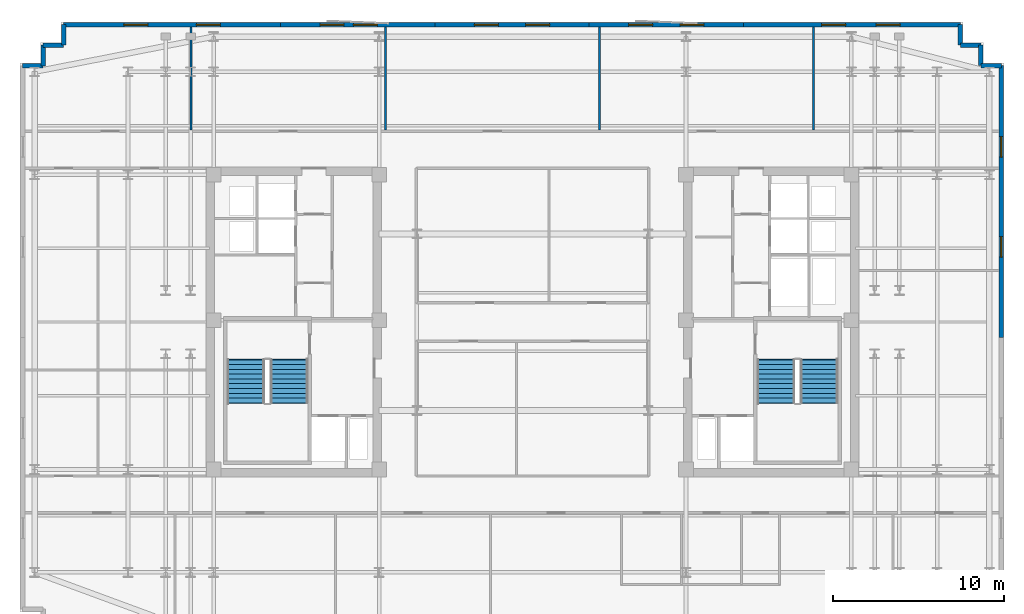
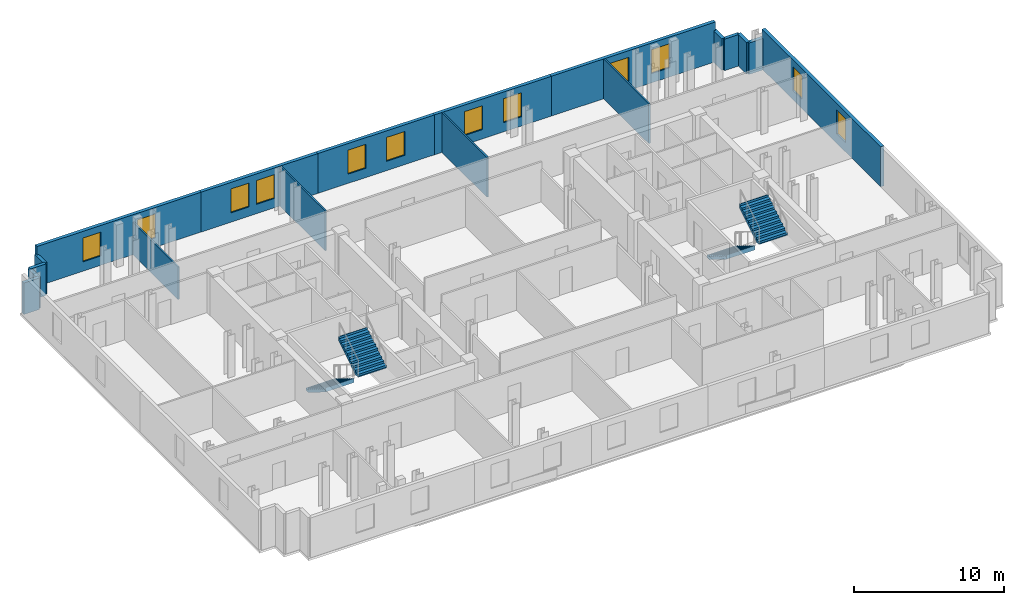
# One storey, part 7 of 9: 18 walls, 12 windows, 4 stair flights, 12 openings, 2 elements without a shape of their own.
"""IFC4 building model written with IfcOpenShell, lengths in metres."""

import ifcopenshell
import ifcopenshell.guid

model = None  # the IFC model being written
_history = None  # IfcOwnerHistory: only IFC2X3 demands one
_inside = {}  # id of a spatial element -> (the spatial element, [elements in it])
_under = {}  # id of a project, library or spatial element -> (it, [spatial elements below it])
_declared = {}  # id of a project -> (the project, [libraries it declares])
_typed = {}  # id of a type object -> (the type object, [elements of that type])
_made_of = {}  # id of a material, layer set ... -> (it, [elements and type objects made of it])


def new_model(schema):
    """Start an empty IFC model of exactly this schema.

    Asked for "IFC4X3", IfcOpenShell would pick the latest addendum, in which some entities
    have other attributes; the version numbers below select the first issue.
    IFC2X3 requires an IfcOwnerHistory on every rooted entity: one is made here for all.
    """
    global model, _history
    if schema == "IFC4X3":
        model = ifcopenshell.file(schema_version=(4, 3, 0, 0))
    else:
        model = ifcopenshell.file(schema=schema)
    _inside.clear()
    _under.clear()
    _declared.clear()
    _typed.clear()
    _made_of.clear()
    _history = None
    if model.schema == "IFC2X3":
        org = make("IfcOrganization", Name="unknown")
        user = make(
            "IfcPersonAndOrganization",
            ThePerson=make("IfcPerson", FamilyName="unknown"),
            TheOrganization=org,
        )
        app = make(
            "IfcApplication",
            ApplicationDeveloper=org,
            Version="unknown",
            ApplicationFullName="unknown",
            ApplicationIdentifier="unknown",
        )
        _history = make(
            "IfcOwnerHistory",
            OwningUser=user,
            OwningApplication=app,
            ChangeAction="ADDED",
            CreationDate=0,
        )
    return model


def make(cls, **values):
    """One entity of the class cls with the attributes given. An attribute that is None is left unset."""
    return model.create_entity(
        cls, **{name: value for name, value in values.items() if value is not None}
    )


def rooted(cls, **values):
    """An entity with a GlobalId (a new one), such as an element, a storey or a relation."""
    return make(cls, GlobalId=ifcopenshell.guid.new(), OwnerHistory=_history, **values)


def si_unit(unit_type, name, prefix=None):
    """IfcSIUnit, for example si_unit("LENGTHUNIT", "METRE", prefix="MILLI")."""
    return make("IfcSIUnit", UnitType=unit_type, Prefix=prefix, Name=name)


def assignment(units):
    """IfcUnitAssignment: the units of a project."""
    return None if units is None else make("IfcUnitAssignment", Units=units)


def point(xyz):
    """IfcCartesianPoint."""
    return None if xyz is None else make("IfcCartesianPoint", Coordinates=xyz)


def direction(xyz):
    """IfcDirection."""
    return None if xyz is None else make("IfcDirection", DirectionRatios=xyz)


def frame(location, z_axis=None, x_axis=None):
    """IfcAxis2Placement3D, a coordinate frame: its origin and axes. An axis left out is left unset."""
    return make(
        "IfcAxis2Placement3D",
        Location=point(location),
        Axis=direction(z_axis),
        RefDirection=direction(x_axis),
    )


def frame_2d(location, x_axis=None):
    """IfcAxis2Placement2D, a coordinate frame in the plane: its origin and x axis."""
    return make(
        "IfcAxis2Placement2D", Location=point(location), RefDirection=direction(x_axis)
    )


def origin():
    """The frame at (0, 0, 0) with its axes left unset."""
    return frame((0.0, 0.0, 0.0))


def place(relative_to, where):
    """IfcLocalPlacement: puts the frame where relative to a parent placement (None: the world)."""
    return make(
        "IfcLocalPlacement", PlacementRelTo=relative_to, RelativePlacement=where
    )


def context(
    kind, dimensions, precision=None, world=None, true_north=None, identifier=None
):
    """IfcGeometricRepresentationContext, for example the 3D "Model" context."""
    return make(
        "IfcGeometricRepresentationContext",
        ContextIdentifier=identifier,
        ContextType=kind,
        CoordinateSpaceDimension=dimensions,
        Precision=precision,
        WorldCoordinateSystem=world,
        TrueNorth=true_north,
    )


def subcontext(parent, identifier, kind, view, scale=None):
    """IfcGeometricRepresentationSubContext, for example "Body" below "Model"."""
    return make(
        "IfcGeometricRepresentationSubContext",
        ContextIdentifier=identifier,
        ContextType=kind,
        ParentContext=parent,
        TargetScale=scale,
        TargetView=view,
    )


def project(units=None, contexts=None):
    """IfcProject with its units and contexts."""
    return rooted(
        "IfcProject",
        Name="project",
        RepresentationContexts=contexts,
        UnitsInContext=assignment(units),
    )


def spatial(cls, under=None, at=None, **own):
    """A site, building, storey or space (cls), placed at a placement, below another one or the project."""
    s = rooted(cls, ObjectPlacement=at, **own)
    if under is not None:
        _under.setdefault(under.id(), (under, []))[1].append(s)
    return s


def polyline(points):
    """IfcPolyline through the points."""
    return make("IfcPolyline", Points=[point(p) for p in points])


def profile(cls, at=None, kind="AREA", **sizes):
    """A parametric profile (cls). Its sizes go by their IFC names, for example OverallWidth=200.0."""
    return make(cls, ProfileType=kind, Position=at, **sizes)


def rectangle(**sizes):
    """IfcRectangleProfileDef."""
    return profile("IfcRectangleProfileDef", **sizes)


def outline(outer, holes=None, kind="AREA"):
    """IfcArbitraryClosedProfileDef: a profile drawn as a closed curve; with holes, ...WithVoids."""
    if holes is None:
        return make("IfcArbitraryClosedProfileDef", ProfileType=kind, OuterCurve=outer)
    return make(
        "IfcArbitraryProfileDefWithVoids",
        ProfileType=kind,
        OuterCurve=outer,
        InnerCurves=holes,
    )


def extrude(swept, where, along, depth):
    """IfcExtrudedAreaSolid: the profile swept, set in the frame where, extruded along a direction by depth."""
    return make(
        "IfcExtrudedAreaSolid",
        SweptArea=swept,
        Position=where,
        ExtrudedDirection=direction(along),
        Depth=depth,
    )


def shape(context_of_items, identifier, shape_type, items):
    """IfcShapeRepresentation: the items that make up one representation, for example the "Body"."""
    return make(
        "IfcShapeRepresentation",
        ContextOfItems=context_of_items,
        RepresentationIdentifier=identifier,
        RepresentationType=shape_type,
        Items=items,
    )


def material(Name=None, Category=None):
    """IfcMaterial."""
    return make("IfcMaterial", Name=Name, Category=Category)


def layer(
    of_material, thickness, ventilated=None, Name=None, Category=None, Priority=None
):
    """IfcMaterialLayer: one layer of a wall or slab, of a material (None: an air gap)."""
    return make(
        "IfcMaterialLayer",
        Material=of_material,
        LayerThickness=thickness,
        IsVentilated=ventilated,
        Name=Name,
        Category=Category,
        Priority=Priority,
    )


def layer_set(layers, Name=None):
    """IfcMaterialLayerSet."""
    return make("IfcMaterialLayerSet", MaterialLayers=layers, LayerSetName=Name)


def made_of(thing, what):
    """Note that an element or type object is made of a material, layer set ...; save() writes the relation."""
    if what is not None:
        _made_of.setdefault(what.id(), (what, []))[1].append(thing)
    return thing


def type_object(cls, material=None, **own):
    """A type object (cls), such as IfcWallType, which elements share."""
    return made_of(rooted(cls, **own), material)


def element(
    cls,
    number,
    at=None,
    inside=None,
    cuts=None,
    type_object=None,
    material=None,
    context=None,
    identifier="Body",
    shape_type=None,
    held_by="IfcProductDefinitionShape",
    body=None,
    shapes=None,
    **own,
):
    """One element of the class cls, such as IfcWall. Its Tag is "e" and its number.

    at: its placement. inside: the storey or other place that contains it. cuts: it is an
    opening in that element (IfcRelVoidsElement). A single representation is given by context,
    identifier, shape_type and body (its items); several are given by shapes. held_by: the class
    of the entity that holds the representations. save() writes the other relations.
    """
    e = rooted(cls, Tag="e%d" % number, ObjectPlacement=at, **own)
    if body is not None:
        shapes = [shape(context, identifier, shape_type, body)]
    if shapes is not None:
        e.Representation = make(held_by, Representations=shapes)
    if inside is not None:
        _inside.setdefault(inside.id(), (inside, []))[1].append(e)
    if cuts is not None:
        rooted(
            "IfcRelVoidsElement", RelatingBuildingElement=cuts, RelatedOpeningElement=e
        )
    if type_object is not None:
        _typed.setdefault(type_object.id(), (type_object, []))[1].append(e)
    return made_of(e, material)


def fill(opening, filler):
    """IfcRelFillsElement: the door or window that sits in an opening."""
    return rooted(
        "IfcRelFillsElement",
        RelatingOpeningElement=opening,
        RelatedBuildingElement=filler,
    )


def aggregate(whole, parts):
    """IfcRelAggregates: a whole, such as a stair, and the parts it consists of."""
    return rooted("IfcRelAggregates", RelatingObject=whole, RelatedObjects=parts)


def save(model, path):
    """Write the relations noted so far, then the file.

    IfcRelAggregates (storeys below a building ...), IfcRelContainedInSpatialStructure (elements
    in a storey), IfcRelDefinesByType, IfcRelAssociatesMaterial and IfcRelDeclares: one each for
    every whole, place, type object, material and project.
    """
    for whole, parts in _under.values():
        aggregate(whole, parts)
    for where, things in _inside.values():
        rooted(
            "IfcRelContainedInSpatialStructure",
            RelatedElements=things,
            RelatingStructure=where,
        )
    for kind, things in _typed.values():
        rooted("IfcRelDefinesByType", RelatedObjects=things, RelatingType=kind)
    for what, things in _made_of.values():
        rooted("IfcRelAssociatesMaterial", RelatedObjects=things, RelatingMaterial=what)
    for by, libraries in _declared.values():
        rooted("IfcRelDeclares", RelatingContext=by, RelatedDefinitions=libraries)
    model.write(path)


model = new_model("IFC4")

# Units and contexts
model_context = context("Model", 3, precision=1e-05, world=origin(), true_north=direction((0.0, 1.0)))
body_context = subcontext(model_context, "Body", "Model", "MODEL_VIEW")
ifc_project = project(units=[si_unit("LENGTHUNIT", "METRE"), si_unit("AREAUNIT", "SQUARE_METRE"), si_unit("VOLUMEUNIT", "CUBIC_METRE"), si_unit("PLANEANGLEUNIT", "RADIAN"), si_unit("MASSUNIT", "GRAM", prefix="KILO")], contexts=[model_context])

# Site, building, storey
site_placement = place(None, origin())
site = spatial("IfcSite", under=ifc_project, at=site_placement, CompositionType="ELEMENT")
building_placement = place(site_placement, origin())
building = spatial("IfcBuilding", under=site, at=building_placement, Name="Velakula Bourse", CompositionType="ELEMENT")
storey_placement = place(building_placement, frame((0.0, 0.0, 218.85009765625)))
storey = spatial("IfcBuildingStorey", under=building, at=storey_placement, Name="L59", CompositionType="ELEMENT", Elevation=218.85009765625)

# Wall, openings, windows
ifc_material_1 = material(Name="Buff kilned clay facing brick masonry", Category="masonry")
ifc_layer_1 = layer(ifc_material_1, 0.260009765625, Name="Buff kilned clay facing brick masonry", Category="masonry")
ifc_layer_set_1 = layer_set([ifc_layer_1], Name="Buff kilned clay facing brick masonry")
wall_type_1 = type_object("IfcWallType", Name="WL-EXT-BRK-260", PredefinedType="STANDARD", material=ifc_layer_set_1)
wall_1_placement = place(storey_placement, frame((-27.35009765625, 17.35009765625, 0.0), z_axis=(0.0, 0.0, 1.0), x_axis=(1.0, 0.0, 0.0)))
wall_1 = element("IfcWall", 1, at=wall_1_placement, inside=storey, type_object=wall_type_1, Name="L59 N Brick Spandrel Wall B1", PredefinedType="STANDARD", context=body_context, shape_type="SweptSolid", body=[
    extrude(rectangle(XDim=12.650146484375, YDim=0.260009765625, at=frame_2d((6.3251953125, 0.0))), origin(), (0.0, 0.0, 1.0), 3.25),
])
opening_1_placement = place(wall_1_placement, frame((3.5166015625, 0.0, 0.760009765625)))
opening_1 = element("IfcOpeningElement", 2, at=opening_1_placement, cuts=wall_1, Name="Opening W-03", PredefinedType="OPENING", context=body_context, shape_type="SweptSolid", body=[
    extrude(rectangle(XDim=1.39990234375, YDim=1.949951171875, at=frame_2d((0.699951171875, 0.97509765625))), frame((0.0, 0.139892578125, 0.0), z_axis=(0.0, -1.0, 0.0), x_axis=(1.0, 0.0, 0.0)), (0.0, 0.0, 1.0), 0.280029296875),
])
opening_2_placement = place(wall_1_placement, frame((7.7333984375, 0.0, 0.760009765625)))
opening_2 = element("IfcOpeningElement", 3, at=opening_2_placement, cuts=wall_1, Name="Opening W-03", PredefinedType="OPENING", context=body_context, shape_type="SweptSolid", body=[
    extrude(rectangle(XDim=1.39990234375, YDim=1.949951171875, at=frame_2d((0.699951171875, 0.97509765625))), frame((0.0, 0.139892578125, 0.0), z_axis=(0.0, -1.0, 0.0), x_axis=(1.0, 0.0, 0.0)), (0.0, 0.0, 1.0), 0.280029296875),
])
ifc_material_2 = material(Name="Double-glazed solar-control Low-E glass", Category="glass")
window_type_1 = type_object("IfcWindowType", Name="WIN-TWR-1400x2100", PartitioningType="SINGLE_PANEL", PredefinedType="WINDOW", material=ifc_material_2)
window_1_placement = place(opening_1_placement, origin())
window_1 = element("IfcWindow", 4, at=window_1_placement, inside=storey, type_object=window_type_1, Name="L59 Deep-Set Recessed Window 1", OverallHeight=1.949951171875, OverallWidth=1.39990234375, PartitioningType="SINGLE_PANEL", PredefinedType="WINDOW", context=body_context, shape_type="SweptSolid", body=[
    extrude(rectangle(XDim=1.39990234375, YDim=1.949951171875, at=frame_2d((0.699951171875, 0.97509765625))), frame((0.0, 0.030029296875, 0.0), z_axis=(0.0, -1.0, 0.0), x_axis=(1.0, 0.0, 0.0)), (0.0, 0.0, 1.0), 0.06005859375),
])
fill(opening_1, window_1)
window_2_placement = place(opening_2_placement, origin())
window_2 = element("IfcWindow", 5, at=window_2_placement, inside=storey, type_object=window_type_1, Name="L59 Deep-Set Recessed Window 2", OverallHeight=1.949951171875, OverallWidth=1.39990234375, PartitioningType="SINGLE_PANEL", PredefinedType="WINDOW", context=body_context, shape_type="SweptSolid", body=[
    extrude(rectangle(XDim=1.39990234375, YDim=1.949951171875, at=frame_2d((0.699951171875, 0.97509765625))), frame((0.0, 0.030029296875, 0.0), z_axis=(0.0, -1.0, 0.0), x_axis=(1.0, 0.0, 0.0)), (0.0, 0.0, 1.0), 0.06005859375),
])
fill(opening_2, window_2)

wall_2_placement = place(storey_placement, frame((-14.699951171875, 17.35009765625, 0.0), z_axis=(0.0, 0.0, 1.0), x_axis=(1.0, 0.0, 0.0)))
wall_2 = element("IfcWall", 6, at=wall_2_placement, inside=storey, type_object=wall_type_1, Name="L59 N Brick Spandrel Wall B2", PredefinedType="STANDARD", context=body_context, shape_type="SweptSolid", body=[
    extrude(rectangle(XDim=9.0, YDim=0.260009765625, at=frame_2d((4.5, 0.0))), origin(), (0.0, 0.0, 1.0), 3.25),
])
opening_3_placement = place(wall_2_placement, frame((2.300048828125, 0.0, 0.760009765625)))
opening_3 = element("IfcOpeningElement", 7, at=opening_3_placement, cuts=wall_2, Name="Opening W-03", PredefinedType="OPENING", context=body_context, shape_type="SweptSolid", body=[
    extrude(rectangle(XDim=1.39990234375, YDim=1.949951171875, at=frame_2d((0.699951171875, 0.97509765625))), frame((0.0, 0.139892578125, 0.0), z_axis=(0.0, -1.0, 0.0), x_axis=(1.0, 0.0, 0.0)), (0.0, 0.0, 1.0), 0.280029296875),
])
opening_4_placement = place(wall_2_placement, frame((4.25, 0.0, 0.760009765625)))
opening_4 = element("IfcOpeningElement", 8, at=opening_4_placement, cuts=wall_2, Name="Opening W-03", PredefinedType="OPENING", context=body_context, shape_type="SweptSolid", body=[
    extrude(rectangle(XDim=1.39990234375, YDim=1.949951171875, at=frame_2d((0.699951171875, 0.97509765625))), frame((0.0, 0.139892578125, 0.0), z_axis=(0.0, -1.0, 0.0), x_axis=(1.0, 0.0, 0.0)), (0.0, 0.0, 1.0), 0.280029296875),
])
window_3_placement = place(opening_3_placement, origin())
window_3 = element("IfcWindow", 9, at=window_3_placement, inside=storey, type_object=window_type_1, Name="L59 Deep-Set Recessed Window 1", OverallHeight=1.949951171875, OverallWidth=1.39990234375, PartitioningType="SINGLE_PANEL", PredefinedType="WINDOW", context=body_context, shape_type="SweptSolid", body=[
    extrude(rectangle(XDim=1.39990234375, YDim=1.949951171875, at=frame_2d((0.699951171875, 0.97509765625))), frame((0.0, 0.030029296875, 0.0), z_axis=(0.0, -1.0, 0.0), x_axis=(1.0, 0.0, 0.0)), (0.0, 0.0, 1.0), 0.06005859375),
])
fill(opening_3, window_3)
window_4_placement = place(opening_4_placement, origin())
window_4 = element("IfcWindow", 10, at=window_4_placement, inside=storey, type_object=window_type_1, Name="L59 Deep-Set Recessed Window 2", OverallHeight=1.949951171875, OverallWidth=1.39990234375, PartitioningType="SINGLE_PANEL", PredefinedType="WINDOW", context=body_context, shape_type="SweptSolid", body=[
    extrude(rectangle(XDim=1.39990234375, YDim=1.949951171875, at=frame_2d((0.699951171875, 0.97509765625))), frame((0.0, 0.030029296875, 0.0), z_axis=(0.0, -1.0, 0.0), x_axis=(1.0, 0.0, 0.0)), (0.0, 0.0, 1.0), 0.06005859375),
])
fill(opening_4, window_4)

wall_3_placement = place(storey_placement, frame((-5.699951171875, 17.35009765625, 0.0), z_axis=(0.0, 0.0, 1.0), x_axis=(1.0, 0.0, 0.0)))
wall_3 = element("IfcWall", 11, at=wall_3_placement, inside=storey, type_object=wall_type_1, Name="L59 N Brick Spandrel Wall B3", PredefinedType="STANDARD", context=body_context, shape_type="SweptSolid", body=[
    extrude(rectangle(XDim=9.0, YDim=0.260009765625, at=frame_2d((4.5, 0.0))), origin(), (0.0, 0.0, 1.0), 3.25),
])
opening_5_placement = place(wall_3_placement, frame((2.300048828125, 0.0, 0.760009765625)))
opening_5 = element("IfcOpeningElement", 12, at=opening_5_placement, cuts=wall_3, Name="Opening W-03", PredefinedType="OPENING", context=body_context, shape_type="SweptSolid", body=[
    extrude(rectangle(XDim=1.39990234375, YDim=1.949951171875, at=frame_2d((0.699951171875, 0.97509765625))), frame((0.0, 0.139892578125, 0.0), z_axis=(0.0, -1.0, 0.0), x_axis=(1.0, 0.0, 0.0)), (0.0, 0.0, 1.0), 0.280029296875),
])
opening_6_placement = place(wall_3_placement, frame((5.300048828125, 0.0, 0.760009765625)))
opening_6 = element("IfcOpeningElement", 13, at=opening_6_placement, cuts=wall_3, Name="Opening W-03", PredefinedType="OPENING", context=body_context, shape_type="SweptSolid", body=[
    extrude(rectangle(XDim=1.39990234375, YDim=1.949951171875, at=frame_2d((0.699951171875, 0.97509765625))), frame((0.0, 0.139892578125, 0.0), z_axis=(0.0, -1.0, 0.0), x_axis=(1.0, 0.0, 0.0)), (0.0, 0.0, 1.0), 0.280029296875),
])
window_5_placement = place(opening_5_placement, origin())
window_5 = element("IfcWindow", 14, at=window_5_placement, inside=storey, type_object=window_type_1, Name="L59 Deep-Set Recessed Window 1", OverallHeight=1.949951171875, OverallWidth=1.39990234375, PartitioningType="SINGLE_PANEL", PredefinedType="WINDOW", context=body_context, shape_type="SweptSolid", body=[
    extrude(rectangle(XDim=1.39990234375, YDim=1.949951171875, at=frame_2d((0.699951171875, 0.97509765625))), frame((0.0, 0.030029296875, 0.0), z_axis=(0.0, -1.0, 0.0), x_axis=(1.0, 0.0, 0.0)), (0.0, 0.0, 1.0), 0.06005859375),
])
fill(opening_5, window_5)
window_6_placement = place(opening_6_placement, origin())
window_6 = element("IfcWindow", 15, at=window_6_placement, inside=storey, type_object=window_type_1, Name="L59 Deep-Set Recessed Window 2", OverallHeight=1.949951171875, OverallWidth=1.39990234375, PartitioningType="SINGLE_PANEL", PredefinedType="WINDOW", context=body_context, shape_type="SweptSolid", body=[
    extrude(rectangle(XDim=1.39990234375, YDim=1.949951171875, at=frame_2d((0.699951171875, 0.97509765625))), frame((0.0, 0.030029296875, 0.0), z_axis=(0.0, -1.0, 0.0), x_axis=(1.0, 0.0, 0.0)), (0.0, 0.0, 1.0), 0.06005859375),
])
fill(opening_6, window_6)

wall_4_placement = place(storey_placement, frame((3.300048828125, 17.35009765625, 0.0), z_axis=(0.0, 0.0, 1.0), x_axis=(1.0, 0.0, 0.0)))
wall_4 = element("IfcWall", 16, at=wall_4_placement, inside=storey, type_object=wall_type_1, Name="L59 N Brick Spandrel Wall B4", PredefinedType="STANDARD", context=body_context, shape_type="SweptSolid", body=[
    extrude(rectangle(XDim=9.0, YDim=0.260009765625, at=frame_2d((4.5, 0.0))), origin(), (0.0, 0.0, 1.0), 3.25),
])
opening_7_placement = place(wall_4_placement, frame((2.300048828125, 0.0, 0.760009765625)))
opening_7 = element("IfcOpeningElement", 17, at=opening_7_placement, cuts=wall_4, Name="Opening W-03", PredefinedType="OPENING", context=body_context, shape_type="SweptSolid", body=[
    extrude(rectangle(XDim=1.39990234375, YDim=1.949951171875, at=frame_2d((0.699951171875, 0.97509765625))), frame((0.0, 0.139892578125, 0.0), z_axis=(0.0, -1.0, 0.0), x_axis=(1.0, 0.0, 0.0)), (0.0, 0.0, 1.0), 0.280029296875),
])
opening_8_placement = place(wall_4_placement, frame((5.300048828125, 0.0, 0.760009765625)))
opening_8 = element("IfcOpeningElement", 18, at=opening_8_placement, cuts=wall_4, Name="Opening W-03", PredefinedType="OPENING", context=body_context, shape_type="SweptSolid", body=[
    extrude(rectangle(XDim=1.39990234375, YDim=1.949951171875, at=frame_2d((0.699951171875, 0.97509765625))), frame((0.0, 0.139892578125, 0.0), z_axis=(0.0, -1.0, 0.0), x_axis=(1.0, 0.0, 0.0)), (0.0, 0.0, 1.0), 0.280029296875),
])
window_7_placement = place(opening_7_placement, origin())
window_7 = element("IfcWindow", 19, at=window_7_placement, inside=storey, type_object=window_type_1, Name="L59 Deep-Set Recessed Window 1", OverallHeight=1.949951171875, OverallWidth=1.39990234375, PartitioningType="SINGLE_PANEL", PredefinedType="WINDOW", context=body_context, shape_type="SweptSolid", body=[
    extrude(rectangle(XDim=1.39990234375, YDim=1.949951171875, at=frame_2d((0.699951171875, 0.97509765625))), frame((0.0, 0.030029296875, 0.0), z_axis=(0.0, -1.0, 0.0), x_axis=(1.0, 0.0, 0.0)), (0.0, 0.0, 1.0), 0.06005859375),
])
fill(opening_7, window_7)
window_8_placement = place(opening_8_placement, origin())
window_8 = element("IfcWindow", 20, at=window_8_placement, inside=storey, type_object=window_type_1, Name="L59 Deep-Set Recessed Window 2", OverallHeight=1.949951171875, OverallWidth=1.39990234375, PartitioningType="SINGLE_PANEL", PredefinedType="WINDOW", context=body_context, shape_type="SweptSolid", body=[
    extrude(rectangle(XDim=1.39990234375, YDim=1.949951171875, at=frame_2d((0.699951171875, 0.97509765625))), frame((0.0, 0.030029296875, 0.0), z_axis=(0.0, -1.0, 0.0), x_axis=(1.0, 0.0, 0.0)), (0.0, 0.0, 1.0), 0.06005859375),
])
fill(opening_8, window_8)

wall_5_placement = place(storey_placement, frame((12.300048828125, 17.35009765625, 0.0), z_axis=(0.0, 0.0, 1.0), x_axis=(1.0, 0.0, 0.0)))
wall_5 = element("IfcWall", 21, at=wall_5_placement, inside=storey, type_object=wall_type_1, Name="L59 N Brick Spandrel Wall B5", PredefinedType="STANDARD", context=body_context, shape_type="SweptSolid", body=[
    extrude(rectangle(XDim=12.64990234375, YDim=0.260009765625, at=frame_2d((6.324951171875, 0.0))), origin(), (0.0, 0.0, 1.0), 3.25),
])
opening_9_placement = place(wall_5_placement, frame((4.566650390625, 0.0, 0.760009765625)))
opening_9 = element("IfcOpeningElement", 22, at=opening_9_placement, cuts=wall_5, Name="Opening W-03", PredefinedType="OPENING", context=body_context, shape_type="SweptSolid", body=[
    extrude(rectangle(XDim=1.39990234375, YDim=1.949951171875, at=frame_2d((0.699951171875, 0.97509765625))), frame((0.0, 0.139892578125, 0.0), z_axis=(0.0, -1.0, 0.0), x_axis=(1.0, 0.0, 0.0)), (0.0, 0.0, 1.0), 0.280029296875),
])
opening_10_placement = place(wall_5_placement, frame((7.7333984375, 0.0, 0.760009765625)))
opening_10 = element("IfcOpeningElement", 23, at=opening_10_placement, cuts=wall_5, Name="Opening W-03", PredefinedType="OPENING", context=body_context, shape_type="SweptSolid", body=[
    extrude(rectangle(XDim=1.39990234375, YDim=1.949951171875, at=frame_2d((0.699951171875, 0.97509765625))), frame((0.0, 0.139892578125, 0.0), z_axis=(0.0, -1.0, 0.0), x_axis=(1.0, 0.0, 0.0)), (0.0, 0.0, 1.0), 0.280029296875),
])
window_9_placement = place(opening_9_placement, origin())
window_9 = element("IfcWindow", 24, at=window_9_placement, inside=storey, type_object=window_type_1, Name="L59 Deep-Set Recessed Window 1", OverallHeight=1.949951171875, OverallWidth=1.39990234375, PartitioningType="SINGLE_PANEL", PredefinedType="WINDOW", context=body_context, shape_type="SweptSolid", body=[
    extrude(rectangle(XDim=1.39990234375, YDim=1.949951171875, at=frame_2d((0.699951171875, 0.97509765625))), frame((0.0, 0.030029296875, 0.0), z_axis=(0.0, -1.0, 0.0), x_axis=(1.0, 0.0, 0.0)), (0.0, 0.0, 1.0), 0.06005859375),
])
fill(opening_9, window_9)
window_10_placement = place(opening_10_placement, origin())
window_10 = element("IfcWindow", 25, at=window_10_placement, inside=storey, type_object=window_type_1, Name="L59 Deep-Set Recessed Window 2", OverallHeight=1.949951171875, OverallWidth=1.39990234375, PartitioningType="SINGLE_PANEL", PredefinedType="WINDOW", context=body_context, shape_type="SweptSolid", body=[
    extrude(rectangle(XDim=1.39990234375, YDim=1.949951171875, at=frame_2d((0.699951171875, 0.97509765625))), frame((0.0, 0.030029296875, 0.0), z_axis=(0.0, -1.0, 0.0), x_axis=(1.0, 0.0, 0.0)), (0.0, 0.0, 1.0), 0.06005859375),
])
fill(opening_10, window_10)

wall_6_placement = place(storey_placement, frame((27.35009765625, 14.949951171875, 0.0), z_axis=(0.0, 0.0, 1.0), x_axis=(0.0, -1.0, 0.0)))
wall_6 = element("IfcWall", 26, at=wall_6_placement, inside=storey, type_object=wall_type_1, Name="L59 E Brick End Wall W2", PredefinedType="STANDARD", context=body_context, shape_type="SweptSolid", body=[
    extrude(rectangle(XDim=15.849853515625, YDim=0.260009765625, at=frame_2d((7.9248046875, 0.0))), origin(), (0.0, 0.0, 1.0), 3.25),
])
opening_11_placement = place(wall_6_placement, frame((4.13330078125, 0.0, 0.760009765625)))
opening_11 = element("IfcOpeningElement", 27, at=opening_11_placement, cuts=wall_6, Name="Opening W-04", PredefinedType="OPENING", context=body_context, shape_type="SweptSolid", body=[
    extrude(rectangle(XDim=1.199951171875, YDim=1.949951171875, at=frame_2d((0.60009765625, 0.97509765625))), frame((0.0, 0.139892578125, 0.0), z_axis=(0.0, -1.0, 0.0), x_axis=(1.0, 0.0, 0.0)), (0.0, 0.0, 1.0), 0.280029296875),
])
opening_12_placement = place(wall_6_placement, frame((9.966796875, 0.0, 0.760009765625)))
opening_12 = element("IfcOpeningElement", 28, at=opening_12_placement, cuts=wall_6, Name="Opening W-04", PredefinedType="OPENING", context=body_context, shape_type="SweptSolid", body=[
    extrude(rectangle(XDim=1.199951171875, YDim=1.949951171875, at=frame_2d((0.60009765625, 0.97509765625))), frame((0.0, 0.139892578125, 0.0), z_axis=(0.0, -1.0, 0.0), x_axis=(1.0, 0.0, 0.0)), (0.0, 0.0, 1.0), 0.280029296875),
])
window_type_2 = type_object("IfcWindowType", Name="WIN-TWR-1200x2100", PartitioningType="SINGLE_PANEL", PredefinedType="WINDOW", material=ifc_material_2)
window_11_placement = place(opening_11_placement, origin())
window_11 = element("IfcWindow", 29, at=window_11_placement, inside=storey, type_object=window_type_2, Name="L59 Deep-Set Recessed Window 1", OverallHeight=1.949951171875, OverallWidth=1.199951171875, PartitioningType="SINGLE_PANEL", PredefinedType="WINDOW", context=body_context, shape_type="SweptSolid", body=[
    extrude(rectangle(XDim=1.199951171875, YDim=1.949951171875, at=frame_2d((0.60009765625, 0.97509765625))), frame((0.0, 0.030029296875, 0.0), z_axis=(0.0, -1.0, 0.0), x_axis=(1.0, 0.0, 0.0)), (0.0, 0.0, 1.0), 0.06005859375),
])
fill(opening_11, window_11)
window_12_placement = place(opening_12_placement, origin())
window_12 = element("IfcWindow", 30, at=window_12_placement, inside=storey, type_object=window_type_2, Name="L59 Deep-Set Recessed Window 2", OverallHeight=1.949951171875, OverallWidth=1.199951171875, PartitioningType="SINGLE_PANEL", PredefinedType="WINDOW", context=body_context, shape_type="SweptSolid", body=[
    extrude(rectangle(XDim=1.199951171875, YDim=1.949951171875, at=frame_2d((0.60009765625, 0.97509765625))), frame((0.0, 0.030029296875, 0.0), z_axis=(0.0, -1.0, 0.0), x_axis=(1.0, 0.0, 0.0)), (0.0, 0.0, 1.0), 0.06005859375),
])
fill(opening_12, window_12)

# Walls
wall_7_placement = place(storey_placement, frame((27.35009765625, 14.949951171875, 0.0), z_axis=(0.0, 0.0, 1.0), x_axis=(-1.0, 0.0, 0.0)))
element("IfcWall", 31, at=wall_7_placement, inside=storey, type_object=wall_type_1, Name="L59 Serrated Corner Brick Wall NE-1", PredefinedType="STANDARD", context=body_context, shape_type="SweptSolid", body=[
    extrude(rectangle(XDim=1.2001953125, YDim=0.260009765625, at=frame_2d((0.60009765625, 0.0))), origin(), (0.0, 0.0, 1.0), 2.56494140625),
])
for number, where, z_axis, x_axis, name in (
    (32, (26.14990234375, 14.949951171875, 0.0), (0.0, 0.0, 1.0), (0.0, 1.0, 0.0), "L59 Serrated Corner Brick Wall NE-2"),
    (33, (26.14990234375, 16.14990234375, 0.0), (0.0, 0.0, 1.0), (-1.0, 0.0, 0.0), "L59 Serrated Corner Brick Wall NE-3"),
):
    element("IfcWall", number, at=place(storey_placement, frame(where, z_axis=z_axis, x_axis=x_axis)), inside=storey, type_object=wall_type_1, Name=name, PredefinedType="STANDARD", context=body_context, shape_type="SweptSolid", body=[
        extrude(rectangle(XDim=1.199951171875, YDim=0.260009765625, at=frame_2d((0.60009765625, 0.0))), origin(), (0.0, 0.0, 1.0), 2.56494140625),
    ])
for number, where, z_axis, x_axis, name in (
    (34, (24.949951171875, 16.14990234375, 0.0), (0.0, 0.0, 1.0), (0.0, 1.0, 0.0), "L59 Serrated Corner Brick Wall NE-4"),
    (35, (-27.35009765625, 17.35009765625, 0.0), (0.0, 0.0, 1.0), (0.0, -1.0, 0.0), "L59 Serrated Corner Brick Wall NW-1"),
):
    element("IfcWall", number, at=place(storey_placement, frame(where, z_axis=z_axis, x_axis=x_axis)), inside=storey, type_object=wall_type_1, Name=name, PredefinedType="STANDARD", context=body_context, shape_type="SweptSolid", body=[
        extrude(rectangle(XDim=1.2001953125, YDim=0.260009765625, at=frame_2d((0.60009765625, 0.0))), origin(), (0.0, 0.0, 1.0), 2.56494140625),
    ])
for number, where, z_axis, x_axis, name in (
    (36, (-27.35009765625, 16.14990234375, 0.0), (0.0, 0.0, 1.0), (-1.0, 0.0, 0.0), "L59 Serrated Corner Brick Wall NW-2"),
    (37, (-28.550048828125, 16.14990234375, 0.0), (0.0, 0.0, 1.0), (0.0, -1.0, 0.0), "L59 Serrated Corner Brick Wall NW-3"),
    (38, (-28.550048828125, 14.949951171875, 0.0), (0.0, 0.0, 1.0), (-1.0, 0.0, 0.0), "L59 Serrated Corner Brick Wall NW-4"),
):
    element("IfcWall", number, at=place(storey_placement, frame(where, z_axis=z_axis, x_axis=x_axis)), inside=storey, type_object=wall_type_1, Name=name, PredefinedType="STANDARD", context=body_context, shape_type="SweptSolid", body=[
        extrude(rectangle(XDim=1.199951171875, YDim=0.260009765625, at=frame_2d((0.60009765625, 0.0))), origin(), (0.0, 0.0, 1.0), 2.56494140625),
    ])
ifc_material_3 = material(Name="Fire-rated double-layer gypsum drywall partition", Category="gypsum")
ifc_layer_2 = layer(ifc_material_3, 0.1201171875, Name="Fire-rated double-layer gypsum drywall partition", Category="gypsum")
ifc_layer_set_2 = layer_set([ifc_layer_2], Name="Fire-rated double-layer gypsum drywall partition")
wall_type_2 = type_object("IfcWallType", Name="WL-PART-120", PredefinedType="STANDARD", material=ifc_layer_set_2)
wall_8_placement = place(storey_placement, frame((-19.91796875, 11.18994140625, 0.0), z_axis=(0.0, 0.0, 1.0), x_axis=(0.0, 1.0, 0.0)))
element("IfcWall", 39, at=wall_8_placement, inside=storey, type_object=wall_type_2, Name="L59 Interior Partition WL-INT-L59-N-D1", PredefinedType="STANDARD", context=body_context, shape_type="SweptSolid", body=[
    extrude(rectangle(XDim=6.030029296875, YDim=0.1201171875, at=frame_2d((3.01513671875, 0.0))), origin(), (0.0, 0.0, 1.0), 2.64501953125),
])
for number, where, z_axis, x_axis, name in (
    (40, (-8.573974609375, 11.18994140625, 0.0), (0.0, 0.0, 1.0), (0.0, 1.0, 0.0), "L59 Interior Partition WL-INT-L59-N-D2"),
    (41, (3.905029296875, 11.18994140625, 0.0), (0.0, 0.0, 1.0), (0.0, 1.0, 0.0), "L59 Interior Partition WL-INT-L59-N-D3"),
    (42, (16.383056640625, 11.18994140625, 0.0), (0.0, 0.0, 1.0), (0.0, 1.0, 0.0), "L59 Interior Partition WL-INT-L59-N-D4"),
):
    element("IfcWall", number, at=place(storey_placement, frame(where, z_axis=z_axis, x_axis=x_axis)), inside=storey, type_object=wall_type_2, Name=name, PredefinedType="STANDARD", context=body_context, shape_type="SweptSolid", body=[
        extrude(rectangle(XDim=6.030029296875, YDim=0.1201171875, at=frame_2d((3.01513671875, 0.0))), origin(), (0.0, 0.0, 1.0), 3.25),
    ])

# Stair, stair flights
ifc_material_4 = material(Name="Concrete M45 (fck 45 MPa)", Category="concrete")
stair_type = type_object("IfcStairType", Name="STR-DOG-390", PredefinedType="HALF_TURN_STAIR", material=ifc_material_4)
stair_1_placement = place(storey_placement, origin())
stair_1 = element("IfcStair", 43, at=stair_1_placement, inside=storey, type_object=stair_type, Name="L59 West Core Exit Stair ST-W1", PredefinedType="HALF_TURN_STAIR")
ifc_layer_3 = layer(ifc_material_4, 0.195068359375, Name="Concrete M45 (fck 45 MPa)", Category="concrete")
ifc_layer_set_3 = layer_set([ifc_layer_3], Name="Concrete M45 (fck 45 MPa)")
stair_flight_type = type_object("IfcStairFlightType", Name="FLT-DOG-390", PredefinedType="STRAIGHT", material=ifc_layer_set_3)
stair_flight_1_placement = place(storey_placement, frame((-16.720947265625, -2.199951171875, 0.0), z_axis=(0.0, 0.0, 1.0), x_axis=(0.0, -1.0, 0.0)))
stair_flight_1 = element("IfcStairFlight", 44, at=stair_flight_1_placement, type_object=stair_flight_type, Name="ST-W1 flight 1", NumberOfRisers=10, NumberOfTreads=9, PredefinedType="STRAIGHT", RiserHeight=0.1725, TreadLength=0.28, context=body_context, shape_type="SweptSolid", body=[
    extrude(outline(polyline([(-0.044921875, -0.0400390625), (-0.044921875, -0.036865234375), (-0.044921875, -0.033935546875), (-0.044921875, -0.03076171875), (-0.044921875, -0.027587890625), (-0.044921875, -0.024658203125), (-0.044921875, -0.021484375), (-0.044921875, -0.0185546875), (-0.044921875, -0.015380859375), (-0.044921875, -0.01220703125), (-0.044921875, -0.00927734375), (-0.044921875, -0.006103515625), (-0.044921875, -0.003173828125), (-0.044921875, 0.0), (0.0, 0.0), (0.0, 0.172607421875), (0.280029296875, 0.172607421875), (0.280029296875, 0.344970703125), (0.56005859375, 0.344970703125), (0.56005859375, 0.517578125), (0.840087890625, 0.517578125), (0.840087890625, 0.68994140625), (1.1201171875, 0.68994140625), (1.1201171875, 0.862548828125), (1.39990234375, 0.862548828125), (1.39990234375, 1.034912109375), (1.679931640625, 1.034912109375), (1.679931640625, 1.20751953125), (1.9599609375, 1.20751953125), (1.9599609375, 1.3798828125), (2.239990234375, 1.3798828125), (2.239990234375, 1.552490234375), (2.52001953125, 1.552490234375), (2.52001953125, 1.72509765625), (2.56494140625, 1.72509765625), (2.56494140625, 1.7001953125), (2.56494140625, 1.67529296875), (2.56494140625, 1.650390625), (2.56494140625, 1.62548828125), (2.56494140625, 1.6005859375), (2.56494140625, 1.57568359375), (2.56494140625, 1.55078125), (2.56494140625, 1.52587890625), (2.56494140625, 1.5009765625), (2.56494140625, 1.47607421875), (2.56494140625, 1.451171875), (2.56494140625, 1.42626953125), (2.56494140625, 1.4013671875), (2.56494140625, 1.37646484375), (0.285888671875, -0.0400390625), (-0.044921875, -0.0400390625)])), frame((0.0, 1.09912109375, 0.0), z_axis=(0.0, -1.0, 0.0), x_axis=(1.0, 0.0, 0.0)), (0.0, 0.0, 1.0), 2.197998046875),
])
stair_flight_2_placement = place(storey_placement, frame((-14.198974609375, -4.719970703125, 1.724853515625), z_axis=(0.0, 0.0, 1.0), x_axis=(0.0, 1.0, 0.0)))
stair_flight_2 = element("IfcStairFlight", 45, at=stair_flight_2_placement, type_object=stair_flight_type, Name="ST-W1 flight 2", NumberOfRisers=10, NumberOfTreads=9, PredefinedType="STRAIGHT", RiserHeight=0.1725, TreadLength=0.28, context=body_context, shape_type="SweptSolid", body=[
    extrude(outline(polyline([(-0.044921875, -0.0400390625), (-0.044921875, -0.036865234375), (-0.044921875, -0.033935546875), (-0.044921875, -0.03076171875), (-0.044921875, -0.027587890625), (-0.044921875, -0.024658203125), (-0.044921875, -0.021484375), (-0.044921875, -0.0185546875), (-0.044921875, -0.015380859375), (-0.044921875, -0.01220703125), (-0.044921875, -0.00927734375), (-0.044921875, -0.006103515625), (-0.044921875, -0.003173828125), (-0.044921875, 0.0), (0.0, 0.0), (0.0, 0.172607421875), (0.280029296875, 0.172607421875), (0.280029296875, 0.344970703125), (0.56005859375, 0.344970703125), (0.56005859375, 0.517578125), (0.840087890625, 0.517578125), (0.840087890625, 0.68994140625), (1.1201171875, 0.68994140625), (1.1201171875, 0.862548828125), (1.39990234375, 0.862548828125), (1.39990234375, 1.034912109375), (1.679931640625, 1.034912109375), (1.679931640625, 1.20751953125), (1.9599609375, 1.20751953125), (1.9599609375, 1.3798828125), (2.239990234375, 1.3798828125), (2.239990234375, 1.552490234375), (2.52001953125, 1.552490234375), (2.52001953125, 1.72509765625), (2.56494140625, 1.72509765625), (2.56494140625, 1.7001953125), (2.56494140625, 1.67529296875), (2.56494140625, 1.650390625), (2.56494140625, 1.62548828125), (2.56494140625, 1.6005859375), (2.56494140625, 1.57568359375), (2.56494140625, 1.55078125), (2.56494140625, 1.52587890625), (2.56494140625, 1.5009765625), (2.56494140625, 1.47607421875), (2.56494140625, 1.451171875), (2.56494140625, 1.42626953125), (2.56494140625, 1.4013671875), (2.56494140625, 1.37646484375), (0.285888671875, -0.0400390625), (-0.044921875, -0.0400390625)])), frame((0.0, 1.09912109375, 0.0), z_axis=(0.0, -1.0, 0.0), x_axis=(1.0, 0.0, 0.0)), (0.0, 0.0, 1.0), 2.197998046875),
])
aggregate(stair_1, [stair_flight_1, stair_flight_2])

stair_2_placement = place(storey_placement, origin())
stair_2 = element("IfcStair", 46, at=stair_2_placement, inside=storey, type_object=stair_type, Name="L59 East Core Exit Stair ST-E1", PredefinedType="HALF_TURN_STAIR")
stair_flight_3_placement = place(storey_placement, frame((14.198974609375, -2.199951171875, 0.0), z_axis=(0.0, 0.0, 1.0), x_axis=(0.0, -1.0, 0.0)))
stair_flight_3 = element("IfcStairFlight", 47, at=stair_flight_3_placement, type_object=stair_flight_type, Name="ST-E1 flight 1", NumberOfRisers=10, NumberOfTreads=9, PredefinedType="STRAIGHT", RiserHeight=0.1725, TreadLength=0.28, context=body_context, shape_type="SweptSolid", body=[
    extrude(outline(polyline([(-0.044921875, -0.0400390625), (-0.044921875, -0.036865234375), (-0.044921875, -0.033935546875), (-0.044921875, -0.03076171875), (-0.044921875, -0.027587890625), (-0.044921875, -0.024658203125), (-0.044921875, -0.021484375), (-0.044921875, -0.0185546875), (-0.044921875, -0.015380859375), (-0.044921875, -0.01220703125), (-0.044921875, -0.00927734375), (-0.044921875, -0.006103515625), (-0.044921875, -0.003173828125), (-0.044921875, 0.0), (0.0, 0.0), (0.0, 0.172607421875), (0.280029296875, 0.172607421875), (0.280029296875, 0.344970703125), (0.56005859375, 0.344970703125), (0.56005859375, 0.517578125), (0.840087890625, 0.517578125), (0.840087890625, 0.68994140625), (1.1201171875, 0.68994140625), (1.1201171875, 0.862548828125), (1.39990234375, 0.862548828125), (1.39990234375, 1.034912109375), (1.679931640625, 1.034912109375), (1.679931640625, 1.20751953125), (1.9599609375, 1.20751953125), (1.9599609375, 1.3798828125), (2.239990234375, 1.3798828125), (2.239990234375, 1.552490234375), (2.52001953125, 1.552490234375), (2.52001953125, 1.72509765625), (2.56494140625, 1.72509765625), (2.56494140625, 1.7001953125), (2.56494140625, 1.67529296875), (2.56494140625, 1.650390625), (2.56494140625, 1.62548828125), (2.56494140625, 1.6005859375), (2.56494140625, 1.57568359375), (2.56494140625, 1.55078125), (2.56494140625, 1.52587890625), (2.56494140625, 1.5009765625), (2.56494140625, 1.47607421875), (2.56494140625, 1.451171875), (2.56494140625, 1.42626953125), (2.56494140625, 1.4013671875), (2.56494140625, 1.37646484375), (0.285888671875, -0.0400390625), (-0.044921875, -0.0400390625)])), frame((0.0, 1.09912109375, 0.0), z_axis=(0.0, -1.0, 0.0), x_axis=(1.0, 0.0, 0.0)), (0.0, 0.0, 1.0), 2.197998046875),
])
stair_flight_4_placement = place(storey_placement, frame((16.720947265625, -4.719970703125, 1.724853515625), z_axis=(0.0, 0.0, 1.0), x_axis=(0.0, 1.0, 0.0)))
stair_flight_4 = element("IfcStairFlight", 48, at=stair_flight_4_placement, type_object=stair_flight_type, Name="ST-E1 flight 2", NumberOfRisers=10, NumberOfTreads=9, PredefinedType="STRAIGHT", RiserHeight=0.1725, TreadLength=0.28, context=body_context, shape_type="SweptSolid", body=[
    extrude(outline(polyline([(-0.044921875, -0.0400390625), (-0.044921875, -0.036865234375), (-0.044921875, -0.033935546875), (-0.044921875, -0.03076171875), (-0.044921875, -0.027587890625), (-0.044921875, -0.024658203125), (-0.044921875, -0.021484375), (-0.044921875, -0.0185546875), (-0.044921875, -0.015380859375), (-0.044921875, -0.01220703125), (-0.044921875, -0.00927734375), (-0.044921875, -0.006103515625), (-0.044921875, -0.003173828125), (-0.044921875, 0.0), (0.0, 0.0), (0.0, 0.172607421875), (0.280029296875, 0.172607421875), (0.280029296875, 0.344970703125), (0.56005859375, 0.344970703125), (0.56005859375, 0.517578125), (0.840087890625, 0.517578125), (0.840087890625, 0.68994140625), (1.1201171875, 0.68994140625), (1.1201171875, 0.862548828125), (1.39990234375, 0.862548828125), (1.39990234375, 1.034912109375), (1.679931640625, 1.034912109375), (1.679931640625, 1.20751953125), (1.9599609375, 1.20751953125), (1.9599609375, 1.3798828125), (2.239990234375, 1.3798828125), (2.239990234375, 1.552490234375), (2.52001953125, 1.552490234375), (2.52001953125, 1.72509765625), (2.56494140625, 1.72509765625), (2.56494140625, 1.7001953125), (2.56494140625, 1.67529296875), (2.56494140625, 1.650390625), (2.56494140625, 1.62548828125), (2.56494140625, 1.6005859375), (2.56494140625, 1.57568359375), (2.56494140625, 1.55078125), (2.56494140625, 1.52587890625), (2.56494140625, 1.5009765625), (2.56494140625, 1.47607421875), (2.56494140625, 1.451171875), (2.56494140625, 1.42626953125), (2.56494140625, 1.4013671875), (2.56494140625, 1.37646484375), (0.285888671875, -0.0400390625), (-0.044921875, -0.0400390625)])), frame((0.0, 1.09912109375, 0.0), z_axis=(0.0, -1.0, 0.0), x_axis=(1.0, 0.0, 0.0)), (0.0, 0.0, 1.0), 2.197998046875),
])
aggregate(stair_2, [stair_flight_3, stair_flight_4])

save(model, "model.ifc")
